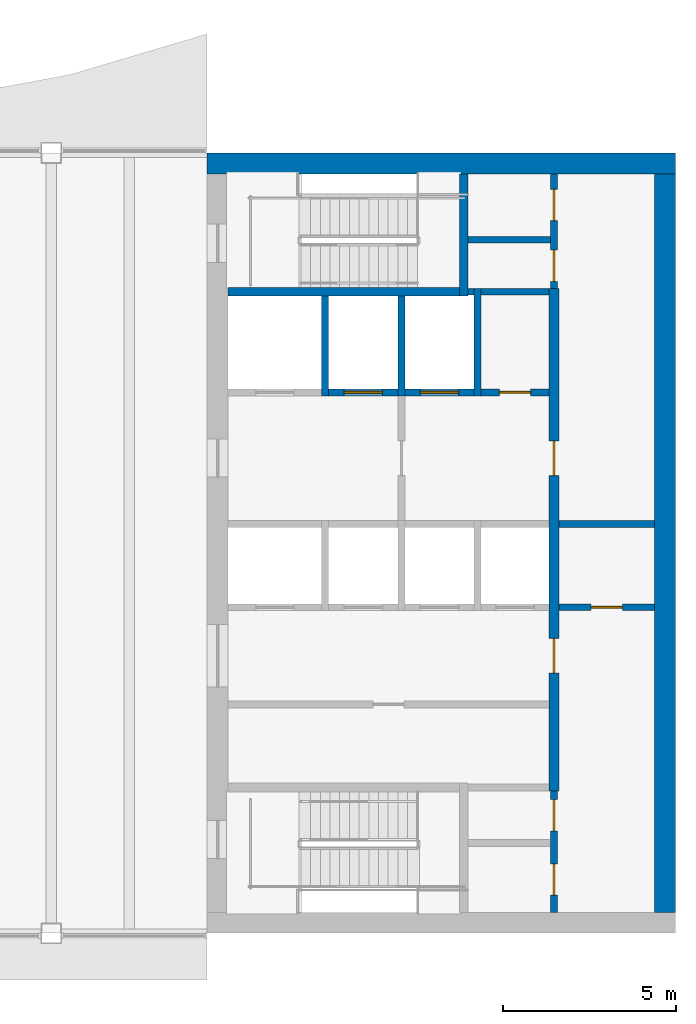
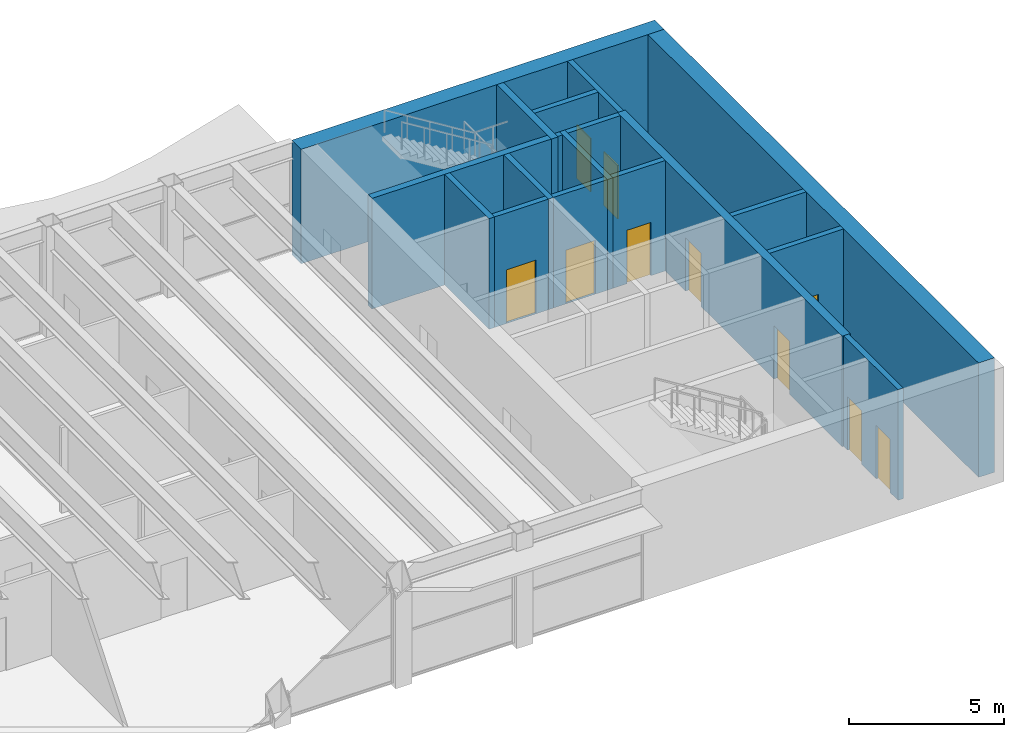
# One storey, part 10 of 14: 18 walls, 10 doors, 10 openings.
"""IFC4 building model written with IfcOpenShell, lengths in metres."""

from ifc_helpers import new_model, si_unit, direction, frame, frame_2d, origin, place, context, subcontext, project, spatial, rectangle, extrude, material, layer, layer_set, type_object, element, fill, save


model = new_model("IFC4")

# Units and contexts
model_context = context("Model", 3, precision=1e-05, world=origin(), true_north=direction((0.0, 1.0)))
body_context = subcontext(model_context, "Body", "Model", "MODEL_VIEW")
ifc_project = project(units=[si_unit("LENGTHUNIT", "METRE"), si_unit("AREAUNIT", "SQUARE_METRE"), si_unit("VOLUMEUNIT", "CUBIC_METRE"), si_unit("PLANEANGLEUNIT", "RADIAN"), si_unit("MASSUNIT", "GRAM", prefix="KILO")], contexts=[model_context])

# Site, building, storey
site_placement = place(None, origin())
site = spatial("IfcSite", under=ifc_project, at=site_placement, CompositionType="ELEMENT")
building_placement = place(site_placement, origin())
building = spatial("IfcBuilding", under=site, at=building_placement, Name="Sennacour Bend Tower", CompositionType="ELEMENT")
storey_placement = place(building_placement, frame((0.0, 0.0, 336.5)))
storey = spatial("IfcBuildingStorey", under=building, at=storey_placement, Name="L77", CompositionType="ELEMENT", Elevation=336.5)

# Walls
ifc_material_1 = material(Name="Concrete C50/60", Category="concrete")
ifc_layer_1 = layer(ifc_material_1, 0.60009765625, Name="Concrete C50/60", Category="concrete")
ifc_layer_set_1 = layer_set([ifc_layer_1], Name="Concrete C50/60")
wall_type_1 = type_object("IfcWallType", Name="Core wall 600 C50/60", PredefinedType="SHEAR", material=ifc_layer_set_1)
wall_1_placement = place(storey_placement, frame((54.0, 22.199951171875, -0.14990234375), z_axis=(0.0, 0.0, 1.0), x_axis=(1.0, 0.0, 0.0)))
element("IfcWall", 1, at=wall_1_placement, inside=storey, type_object=wall_type_1, Name="Core A wall L77 N", PredefinedType="SHEAR", context=body_context, shape_type="SweptSolid", body=[
    extrude(rectangle(XDim=13.5, YDim=0.60009765625, at=frame_2d((6.75, 0.0))), origin(), (0.0, 0.0, 1.0), 4.5),
])
wall_2_placement = place(storey_placement, frame((67.199951171875, 0.60009765625, -0.14990234375), z_axis=(0.0, 0.0, 1.0), x_axis=(0.0, 1.0, 0.0)))
element("IfcWall", 2, at=wall_2_placement, inside=storey, type_object=wall_type_1, Name="Core A wall L77 E", PredefinedType="SHEAR", context=body_context, shape_type="SweptSolid", body=[
    extrude(rectangle(XDim=21.2998046875, YDim=0.60009765625, at=frame_2d((10.64990234375, 0.0))), origin(), (0.0, 0.0, 1.0), 4.5),
])

# Wall, openings, doors
ifc_material_2 = material(Name="Fire-rated plasterboard partition on steel studs", Category="steel")
ifc_layer_2 = layer(ifc_material_2, 0.199951171875, Name="Fire-rated plasterboard partition on steel studs", Category="steel")
ifc_layer_set_2 = layer_set([ifc_layer_2], Name="Fire-rated plasterboard partition on steel studs")
wall_type_2 = type_object("IfcWallType", Name="Rated partition 200", PredefinedType="PARTITIONING", material=ifc_layer_set_2)
wall_3_placement = place(storey_placement, frame((64.0, 0.60009765625, 0.0), z_axis=(0.0, 0.0, 1.0), x_axis=(0.0, 1.0, 0.0)))
wall_3 = element("IfcWall", 3, at=wall_3_placement, inside=storey, type_object=wall_type_2, Name="P-L77-W026", PredefinedType="PARTITIONING", context=body_context, shape_type="SweptSolid", body=[
    extrude(rectangle(XDim=3.5, YDim=0.199951171875, at=frame_2d((1.75, 0.0))), origin(), (0.0, 0.0, 1.0), 4.35009765625),
])
opening_1_placement = place(wall_3_placement, frame((0.5, 0.0, 0.0)))
opening_1 = element("IfcOpeningElement", 4, at=opening_1_placement, cuts=wall_3, Name="Opening SV", PredefinedType="OPENING", context=body_context, shape_type="SweptSolid", body=[
    extrude(rectangle(XDim=0.89990234375, YDim=2.10009765625, at=frame_2d((0.449951171875, 1.050048828125))), frame((0.0, 0.10986328125, 0.0), z_axis=(0.0, -1.0, 0.0), x_axis=(1.0, 0.0, 0.0)), (0.0, 0.0, 1.0), 0.219970703125),
])
opening_2_placement = place(wall_3_placement, frame((2.349853515625, 0.0, 0.0)))
opening_2 = element("IfcOpeningElement", 5, at=opening_2_placement, cuts=wall_3, Name="Opening WD", PredefinedType="OPENING", context=body_context, shape_type="SweptSolid", body=[
    extrude(rectangle(XDim=0.89990234375, YDim=2.10009765625, at=frame_2d((0.449951171875, 1.050048828125))), frame((0.0, 0.10986328125, 0.0), z_axis=(0.0, -1.0, 0.0), x_axis=(1.0, 0.0, 0.0)), (0.0, 0.0, 1.0), 0.219970703125),
])
ifc_material_3 = material(Name="Painted steel", Category="steel")
door_type_1 = type_object("IfcDoorType", Name="DR-SERVICE-900", OperationType="NOTDEFINED", PredefinedType="DOOR", material=ifc_material_3)
door_1_placement = place(opening_1_placement, origin())
door_1 = element("IfcDoor", 6, at=door_1_placement, inside=storey, type_object=door_type_1, Name="Door", OperationType="SINGLE_SWING_LEFT", OverallHeight=2.10009765625, OverallWidth=0.89990234375, PredefinedType="DOOR", context=body_context, shape_type="SweptSolid", body=[
    extrude(rectangle(XDim=0.89990234375, YDim=2.10009765625, at=frame_2d((0.449951171875, 1.050048828125))), frame((0.0, 0.02490234375, 0.0), z_axis=(0.0, -1.0, 0.0), x_axis=(1.0, 0.0, 0.0)), (0.0, 0.0, 1.0), 0.050048828125),
])
fill(opening_1, door_1)
ifc_material_4 = material(Name="Timber", Category="wood")
door_type_2 = type_object("IfcDoorType", Name="DR-WC-900", OperationType="NOTDEFINED", PredefinedType="DOOR", material=ifc_material_4)
door_2_placement = place(opening_2_placement, origin())
door_2 = element("IfcDoor", 7, at=door_2_placement, inside=storey, type_object=door_type_2, Name="Door", OperationType="SINGLE_SWING_RIGHT", OverallHeight=2.10009765625, OverallWidth=0.89990234375, PredefinedType="DOOR", context=body_context, shape_type="SweptSolid", body=[
    extrude(rectangle(XDim=0.89990234375, YDim=2.10009765625, at=frame_2d((0.449951171875, 1.050048828125))), frame((0.0, 0.02490234375, 0.0), z_axis=(0.0, -1.0, 0.0), x_axis=(1.0, 0.0, 0.0)), (0.0, 0.0, 1.0), 0.050048828125),
])
fill(opening_2, door_2)

wall_4_placement = place(storey_placement, frame((64.0, 18.60009765625, 0.0), z_axis=(0.0, 0.0, 1.0), x_axis=(0.0, 1.0, 0.0)))
wall_4 = element("IfcWall", 8, at=wall_4_placement, inside=storey, type_object=wall_type_2, Name="P-L77-W028", PredefinedType="PARTITIONING", context=body_context, shape_type="SweptSolid", body=[
    extrude(rectangle(XDim=3.2998046875, YDim=0.199951171875, at=frame_2d((1.64990234375, 0.0))), origin(), (0.0, 0.0, 1.0), 4.35009765625),
])
opening_3_placement = place(wall_4_placement, frame((0.199951171875, 0.0, 0.0)))
opening_3 = element("IfcOpeningElement", 9, at=opening_3_placement, cuts=wall_4, Name="Opening SV", PredefinedType="OPENING", context=body_context, shape_type="SweptSolid", body=[
    extrude(rectangle(XDim=0.89990234375, YDim=2.10009765625, at=frame_2d((0.449951171875, 1.050048828125))), frame((0.0, 0.10986328125, 0.0), z_axis=(0.0, -1.0, 0.0), x_axis=(1.0, 0.0, 0.0)), (0.0, 0.0, 1.0), 0.219970703125),
])
opening_4_placement = place(wall_4_placement, frame((1.949951171875, 0.0, 0.0)))
opening_4 = element("IfcOpeningElement", 10, at=opening_4_placement, cuts=wall_4, Name="Opening SV", PredefinedType="OPENING", context=body_context, shape_type="SweptSolid", body=[
    extrude(rectangle(XDim=0.89990234375, YDim=2.10009765625, at=frame_2d((0.449951171875, 1.050048828125))), frame((0.0, 0.10986328125, 0.0), z_axis=(0.0, -1.0, 0.0), x_axis=(1.0, 0.0, 0.0)), (0.0, 0.0, 1.0), 0.219970703125),
])
door_3_placement = place(opening_3_placement, origin())
door_3 = element("IfcDoor", 11, at=door_3_placement, inside=storey, type_object=door_type_1, Name="Door", OperationType="SINGLE_SWING_LEFT", OverallHeight=2.10009765625, OverallWidth=0.89990234375, PredefinedType="DOOR", context=body_context, shape_type="SweptSolid", body=[
    extrude(rectangle(XDim=0.89990234375, YDim=2.10009765625, at=frame_2d((0.449951171875, 1.050048828125))), frame((0.0, 0.02490234375, 0.0), z_axis=(0.0, -1.0, 0.0), x_axis=(1.0, 0.0, 0.0)), (0.0, 0.0, 1.0), 0.050048828125),
])
fill(opening_3, door_3)
door_4_placement = place(opening_4_placement, origin())
door_4 = element("IfcDoor", 12, at=door_4_placement, inside=storey, type_object=door_type_1, Name="Door", OperationType="SINGLE_SWING_RIGHT", OverallHeight=2.10009765625, OverallWidth=0.89990234375, PredefinedType="DOOR", context=body_context, shape_type="SweptSolid", body=[
    extrude(rectangle(XDim=0.89990234375, YDim=2.10009765625, at=frame_2d((0.449951171875, 1.050048828125))), frame((0.0, 0.02490234375, 0.0), z_axis=(0.0, -1.0, 0.0), x_axis=(1.0, 0.0, 0.0)), (0.0, 0.0, 1.0), 0.050048828125),
])
fill(opening_4, door_4)

# Wall, opening, door
wall_5_placement = place(storey_placement, frame((64.14990234375, 9.39990234375, 0.0), z_axis=(0.0, 0.0, 1.0), x_axis=(1.0, 0.0, 0.0)))
wall_5 = element("IfcWall", 13, at=wall_5_placement, inside=storey, type_object=wall_type_2, Name="P-L77-W040", PredefinedType="PARTITIONING", context=body_context, shape_type="SweptSolid", body=[
    extrude(rectangle(XDim=2.75, YDim=0.199951171875, at=frame_2d((1.375, 0.0))), origin(), (0.0, 0.0, 1.0), 4.35009765625),
])
opening_5_placement = place(wall_5_placement, frame((0.925048828125, 0.0, 0.0)))
opening_5 = element("IfcOpeningElement", 14, at=opening_5_placement, cuts=wall_5, Name="Opening SV", PredefinedType="OPENING", context=body_context, shape_type="SweptSolid", body=[
    extrude(rectangle(XDim=0.89990234375, YDim=2.10009765625, at=frame_2d((0.449951171875, 1.050048828125))), frame((0.0, 0.10986328125, 0.0), z_axis=(0.0, -1.0, 0.0), x_axis=(1.0, 0.0, 0.0)), (0.0, 0.0, 1.0), 0.219970703125),
])
door_5_placement = place(opening_5_placement, origin())
door_5 = element("IfcDoor", 15, at=door_5_placement, inside=storey, type_object=door_type_1, Name="Door", OperationType="SINGLE_SWING_LEFT", OverallHeight=2.10009765625, OverallWidth=0.89990234375, PredefinedType="DOOR", context=body_context, shape_type="SweptSolid", body=[
    extrude(rectangle(XDim=0.89990234375, YDim=2.10009765625, at=frame_2d((0.449951171875, 1.050048828125))), frame((0.0, 0.02490234375, 0.0), z_axis=(0.0, -1.0, 0.0), x_axis=(1.0, 0.0, 0.0)), (0.0, 0.0, 1.0), 0.050048828125),
])
fill(opening_5, door_5)

# Wall
wall_6_placement = place(storey_placement, frame((64.14990234375, 11.800048828125, 0.0), z_axis=(0.0, 0.0, 1.0), x_axis=(1.0, 0.0, 0.0)))
element("IfcWall", 16, at=wall_6_placement, inside=storey, type_object=wall_type_2, Name="P-L77-W042", PredefinedType="PARTITIONING", context=body_context, shape_type="SweptSolid", body=[
    extrude(rectangle(XDim=2.75, YDim=0.199951171875, at=frame_2d((1.375, 0.0))), origin(), (0.0, 0.0, 1.0), 4.35009765625),
])

# Wall, opening, door
wall_7_placement = place(storey_placement, frame((61.89990234375, 15.60009765625, 0.0), z_axis=(0.0, 0.0, 1.0), x_axis=(1.0, 0.0, 0.0)))
wall_7 = element("IfcWall", 17, at=wall_7_placement, inside=storey, type_object=wall_type_2, Name="P-L77-W045", PredefinedType="PARTITIONING", context=body_context, shape_type="SweptSolid", body=[
    extrude(rectangle(XDim=1.9501953125, YDim=0.199951171875, at=frame_2d((0.97509765625, 0.0))), origin(), (0.0, 0.0, 1.0), 4.35009765625),
])
opening_6_placement = place(wall_7_placement, frame((0.525146484375, 0.0, 0.0)))
opening_6 = element("IfcOpeningElement", 18, at=opening_6_placement, cuts=wall_7, Name="Opening SV", PredefinedType="OPENING", context=body_context, shape_type="SweptSolid", body=[
    extrude(rectangle(XDim=0.89990234375, YDim=2.10009765625, at=frame_2d((0.449951171875, 1.050048828125))), frame((0.0, 0.10986328125, 0.0), z_axis=(0.0, -1.0, 0.0), x_axis=(1.0, 0.0, 0.0)), (0.0, 0.0, 1.0), 0.219970703125),
])
door_6_placement = place(opening_6_placement, origin())
door_6 = element("IfcDoor", 19, at=door_6_placement, inside=storey, type_object=door_type_1, Name="Door", OperationType="SINGLE_SWING_LEFT", OverallHeight=2.10009765625, OverallWidth=0.89990234375, PredefinedType="DOOR", context=body_context, shape_type="SweptSolid", body=[
    extrude(rectangle(XDim=0.89990234375, YDim=2.10009765625, at=frame_2d((0.449951171875, 1.050048828125))), frame((0.0, 0.02490234375, 0.0), z_axis=(0.0, -1.0, 0.0), x_axis=(1.0, 0.0, 0.0)), (0.0, 0.0, 1.0), 0.050048828125),
])
fill(opening_6, door_6)

# Walls
wall_8_placement = place(storey_placement, frame((61.89990234375, 18.5, 0.0), z_axis=(0.0, 0.0, 1.0), x_axis=(1.0, 0.0, 0.0)))
element("IfcWall", 20, at=wall_8_placement, inside=storey, type_object=wall_type_2, Name="P-L77-W049", PredefinedType="PARTITIONING", context=body_context, shape_type="SweptSolid", body=[
    extrude(rectangle(XDim=1.9501953125, YDim=0.199951171875, at=frame_2d((0.97509765625, 0.0))), origin(), (0.0, 0.0, 1.0), 4.35009765625),
])
wall_9_placement = place(storey_placement, frame((61.52490234375, 20.0, 0.0), z_axis=(0.0, 0.0, 1.0), x_axis=(1.0, 0.0, 0.0)))
element("IfcWall", 21, at=wall_9_placement, inside=storey, type_object=wall_type_2, Name="P-L77-W050", PredefinedType="PARTITIONING", context=body_context, shape_type="SweptSolid", body=[
    extrude(rectangle(XDim=2.375, YDim=0.199951171875, at=frame_2d((1.1875, 0.0))), origin(), (0.0, 0.0, 1.0), 4.35009765625),
])
ifc_layer_3 = layer(ifc_material_1, 0.199951171875, Name="Concrete C50/60", Category="concrete")
ifc_layer_set_3 = layer_set([ifc_layer_3], Name="Concrete C50/60")
wall_type_3 = type_object("IfcWallType", Name="Shaft wall 200", PredefinedType="SOLIDWALL", material=ifc_layer_set_3)
for number, where, z_axis, x_axis, name in (
    (22, (57.39990234375, 15.5, 0.0), (0.0, 0.0, 1.0), (0.0, 1.0, 0.0), "P-L77-W018"),
    (23, (59.60009765625, 15.5, 0.0), (0.0, 0.0, 1.0), (0.0, 1.0, 0.0), "P-L77-W021"),
):
    element("IfcWall", number, at=place(storey_placement, frame(where, z_axis=z_axis, x_axis=x_axis)), inside=storey, type_object=wall_type_3, Name=name, PredefinedType="SOLIDWALL", context=body_context, shape_type="SweptSolid", body=[
        extrude(rectangle(XDim=2.875, YDim=0.199951171875, at=frame_2d((1.4375, 0.0))), origin(), (0.0, 0.0, 1.0), 4.35009765625),
    ])
wall_10_placement = place(storey_placement, frame((61.800048828125, 15.5, 0.0), z_axis=(0.0, 0.0, 1.0), x_axis=(0.0, 1.0, 0.0)))
element("IfcWall", 24, at=wall_10_placement, inside=storey, type_object=wall_type_3, Name="P-L77-W025", PredefinedType="SOLIDWALL", context=body_context, shape_type="SweptSolid", body=[
    extrude(rectangle(XDim=3.10009765625, YDim=0.199951171875, at=frame_2d((1.550048828125, 0.0))), origin(), (0.0, 0.0, 1.0), 4.35009765625),
])

# Wall, opening, door
wall_11_placement = place(storey_placement, frame((57.5, 15.60009765625, 0.0), z_axis=(0.0, 0.0, 1.0), x_axis=(1.0, 0.0, 0.0)))
wall_11 = element("IfcWall", 25, at=wall_11_placement, inside=storey, type_object=wall_type_3, Name="P-L77-W044b", PredefinedType="SOLIDWALL", context=body_context, shape_type="SweptSolid", body=[
    extrude(rectangle(XDim=2.0, YDim=0.199951171875, at=frame_2d((1.0, 0.0))), origin(), (0.0, 0.0, 1.0), 4.35009765625),
])
opening_7_placement = place(wall_11_placement, frame((0.449951171875, 0.0, 0.011962890625)))
opening_7 = element("IfcOpeningElement", 26, at=opening_7_placement, cuts=wall_11, Name="Opening FLD", PredefinedType="OPENING", context=body_context, shape_type="SweptSolid", body=[
    extrude(rectangle(XDim=1.10009765625, YDim=2.10009765625, at=frame_2d((0.550048828125, 1.050048828125))), frame((0.0, 0.10986328125, 0.0), z_axis=(0.0, -1.0, 0.0), x_axis=(1.0, 0.0, 0.0)), (0.0, 0.0, 1.0), 0.219970703125),
])
ifc_material_5 = material(Name="Stainless steel", Category="steel")
door_type_3 = type_object("IfcDoorType", Name="DR-FF-LANDING-1100", OperationType="NOTDEFINED", PredefinedType="DOOR", material=ifc_material_5)
door_7_placement = place(opening_7_placement, origin())
door_7 = element("IfcDoor", 27, at=door_7_placement, inside=storey, type_object=door_type_3, Name="Fire service lift landing door FA2", OperationType="SLIDING_TO_RIGHT", OverallHeight=2.10009765625, OverallWidth=1.10009765625, PredefinedType="DOOR", context=body_context, shape_type="SweptSolid", body=[
    extrude(rectangle(XDim=1.10009765625, YDim=2.10009765625, at=frame_2d((0.550048828125, 1.050048828125))), frame((0.0, 0.02490234375, 0.0), z_axis=(0.0, -1.0, 0.0), x_axis=(1.0, 0.0, 0.0)), (0.0, 0.0, 1.0), 0.050048828125),
])
fill(opening_7, door_7)

wall_12_placement = place(storey_placement, frame((59.699951171875, 15.60009765625, 0.0), z_axis=(0.0, 0.0, 1.0), x_axis=(1.0, 0.0, 0.0)))
wall_12 = element("IfcWall", 28, at=wall_12_placement, inside=storey, type_object=wall_type_3, Name="P-L77-W044c", PredefinedType="SOLIDWALL", context=body_context, shape_type="SweptSolid", body=[
    extrude(rectangle(XDim=2.0, YDim=0.199951171875, at=frame_2d((1.0, 0.0))), origin(), (0.0, 0.0, 1.0), 4.35009765625),
])
opening_8_placement = place(wall_12_placement, frame((0.449951171875, 0.0, 0.011962890625)))
opening_8 = element("IfcOpeningElement", 29, at=opening_8_placement, cuts=wall_12, Name="Opening LD", PredefinedType="OPENING", context=body_context, shape_type="SweptSolid", body=[
    extrude(rectangle(XDim=1.10009765625, YDim=2.10009765625, at=frame_2d((0.550048828125, 1.050048828125))), frame((0.0, 0.10986328125, 0.0), z_axis=(0.0, -1.0, 0.0), x_axis=(1.0, 0.0, 0.0)), (0.0, 0.0, 1.0), 0.219970703125),
])
door_type_4 = type_object("IfcDoorType", Name="DR-LANDING-1100", OperationType="NOTDEFINED", PredefinedType="DOOR", material=ifc_material_5)
door_8_placement = place(opening_8_placement, origin())
door_8 = element("IfcDoor", 30, at=door_8_placement, inside=storey, type_object=door_type_4, Name="Lift landing door HA5", OperationType="SLIDING_TO_LEFT", OverallHeight=2.10009765625, OverallWidth=1.10009765625, PredefinedType="DOOR", context=body_context, shape_type="SweptSolid", body=[
    extrude(rectangle(XDim=1.10009765625, YDim=2.10009765625, at=frame_2d((0.550048828125, 1.050048828125))), frame((0.0, 0.02490234375, 0.0), z_axis=(0.0, -1.0, 0.0), x_axis=(1.0, 0.0, 0.0)), (0.0, 0.0, 1.0), 0.050048828125),
])
fill(opening_8, door_8)

# Wall
wall_13_placement = place(storey_placement, frame((61.52490234375, 18.5, 0.0), z_axis=(0.0, 0.0, 1.0), x_axis=(1.0, 0.0, 0.0)))
element("IfcWall", 31, at=wall_13_placement, inside=storey, type_object=wall_type_3, Name="P-L77-W048", PredefinedType="SOLIDWALL", context=body_context, shape_type="SweptSolid", body=[
    extrude(rectangle(XDim=0.175048828125, YDim=0.199951171875, at=frame_2d((0.08740234375, 0.0))), origin(), (0.0, 0.0, 1.0), 4.35009765625),
])

# Wall, openings, doors
ifc_material_6 = material(Name="Concrete C60/75", Category="concrete")
ifc_layer_4 = layer(ifc_material_6, 0.300048828125, Name="Concrete C60/75", Category="concrete")
ifc_layer_set_4 = layer_set([ifc_layer_4], Name="Concrete C60/75")
wall_type_4 = type_object("IfcWallType", Name="Spine wall 300", PredefinedType="SHEAR", material=ifc_layer_set_4)
wall_14_placement = place(storey_placement, frame((64.0, 4.10009765625, 0.0), z_axis=(0.0, 0.0, 1.0), x_axis=(0.0, 1.0, 0.0)))
wall_14 = element("IfcWall", 32, at=wall_14_placement, inside=storey, type_object=wall_type_4, Name="P-L77-W027", PredefinedType="SHEAR", context=body_context, shape_type="SweptSolid", body=[
    extrude(rectangle(XDim=14.5, YDim=0.300048828125, at=frame_2d((7.25, 0.0))), origin(), (0.0, 0.0, 1.0), 4.35009765625),
])
opening_9_placement = place(wall_14_placement, frame((3.39990234375, 0.0, 0.0)))
opening_9 = element("IfcOpeningElement", 33, at=opening_9_placement, cuts=wall_14, Name="Opening CD2", PredefinedType="OPENING", context=body_context, shape_type="SweptSolid", body=[
    extrude(rectangle(XDim=1.0, YDim=2.10009765625, at=frame_2d((0.5, 1.050048828125))), frame((0.0, 0.16015625, 0.0), z_axis=(0.0, -1.0, 0.0), x_axis=(1.0, 0.0, 0.0)), (0.0, 0.0, 1.0), 0.320068359375),
])
opening_10_placement = place(wall_14_placement, frame((9.099853515625, 0.0, 0.0)))
opening_10 = element("IfcOpeningElement", 34, at=opening_10_placement, cuts=wall_14, Name="Opening CD2", PredefinedType="OPENING", context=body_context, shape_type="SweptSolid", body=[
    extrude(rectangle(XDim=1.0, YDim=2.10009765625, at=frame_2d((0.5, 1.050048828125))), frame((0.0, 0.16015625, 0.0), z_axis=(0.0, -1.0, 0.0), x_axis=(1.0, 0.0, 0.0)), (0.0, 0.0, 1.0), 0.320068359375),
])
door_type_5 = type_object("IfcDoorType", Name="DR-LOBBY-1000", OperationType="NOTDEFINED", PredefinedType="DOOR", material=ifc_material_3)
door_9_placement = place(opening_9_placement, origin())
door_9 = element("IfcDoor", 35, at=door_9_placement, inside=storey, type_object=door_type_5, Name="Door", OperationType="SINGLE_SWING_LEFT", OverallHeight=2.10009765625, OverallWidth=1.0, PredefinedType="DOOR", context=body_context, shape_type="SweptSolid", body=[
    extrude(rectangle(XDim=1.0, YDim=2.10009765625, at=frame_2d((0.5, 1.050048828125))), frame((0.0, 0.02490234375, 0.0), z_axis=(0.0, -1.0, 0.0), x_axis=(1.0, 0.0, 0.0)), (0.0, 0.0, 1.0), 0.050048828125),
])
fill(opening_9, door_9)
door_10_placement = place(opening_10_placement, origin())
door_10 = element("IfcDoor", 36, at=door_10_placement, inside=storey, type_object=door_type_5, Name="Door", OperationType="SINGLE_SWING_RIGHT", OverallHeight=2.10009765625, OverallWidth=1.0, PredefinedType="DOOR", context=body_context, shape_type="SweptSolid", body=[
    extrude(rectangle(XDim=1.0, YDim=2.10009765625, at=frame_2d((0.5, 1.050048828125))), frame((0.0, 0.02490234375, 0.0), z_axis=(0.0, -1.0, 0.0), x_axis=(1.0, 0.0, 0.0)), (0.0, 0.0, 1.0), 0.050048828125),
])
fill(opening_10, door_10)

# Walls
ifc_layer_5 = layer(ifc_material_6, 0.25, Name="Concrete C60/75", Category="concrete")
ifc_layer_set_5 = layer_set([ifc_layer_5], Name="Concrete C60/75")
wall_type_5 = type_object("IfcWallType", Name="Stair wall 250", PredefinedType="SHEAR", material=ifc_layer_set_5)
wall_15_placement = place(storey_placement, frame((61.39990234375, 18.375, 0.0), z_axis=(0.0, 0.0, 1.0), x_axis=(0.0, 1.0, 0.0)))
element("IfcWall", 37, at=wall_15_placement, inside=storey, type_object=wall_type_5, Name="P-L77-W023", PredefinedType="SHEAR", context=body_context, shape_type="SweptSolid", body=[
    extrude(rectangle(XDim=3.52490234375, YDim=0.25, at=frame_2d((1.762451171875, 0.0))), origin(), (0.0, 0.0, 1.0), 4.35009765625),
])
wall_16_placement = place(storey_placement, frame((54.60009765625, 18.5, 0.0), z_axis=(0.0, 0.0, 1.0), x_axis=(1.0, 0.0, 0.0)))
element("IfcWall", 38, at=wall_16_placement, inside=storey, type_object=wall_type_5, Name="P-L77-W047", PredefinedType="SHEAR", context=body_context, shape_type="SweptSolid", body=[
    extrude(rectangle(XDim=6.6748046875, YDim=0.25, at=frame_2d((3.33740234375, 0.0))), origin(), (0.0, 0.0, 1.0), 4.35009765625),
])

save(model, "model.ifc")
